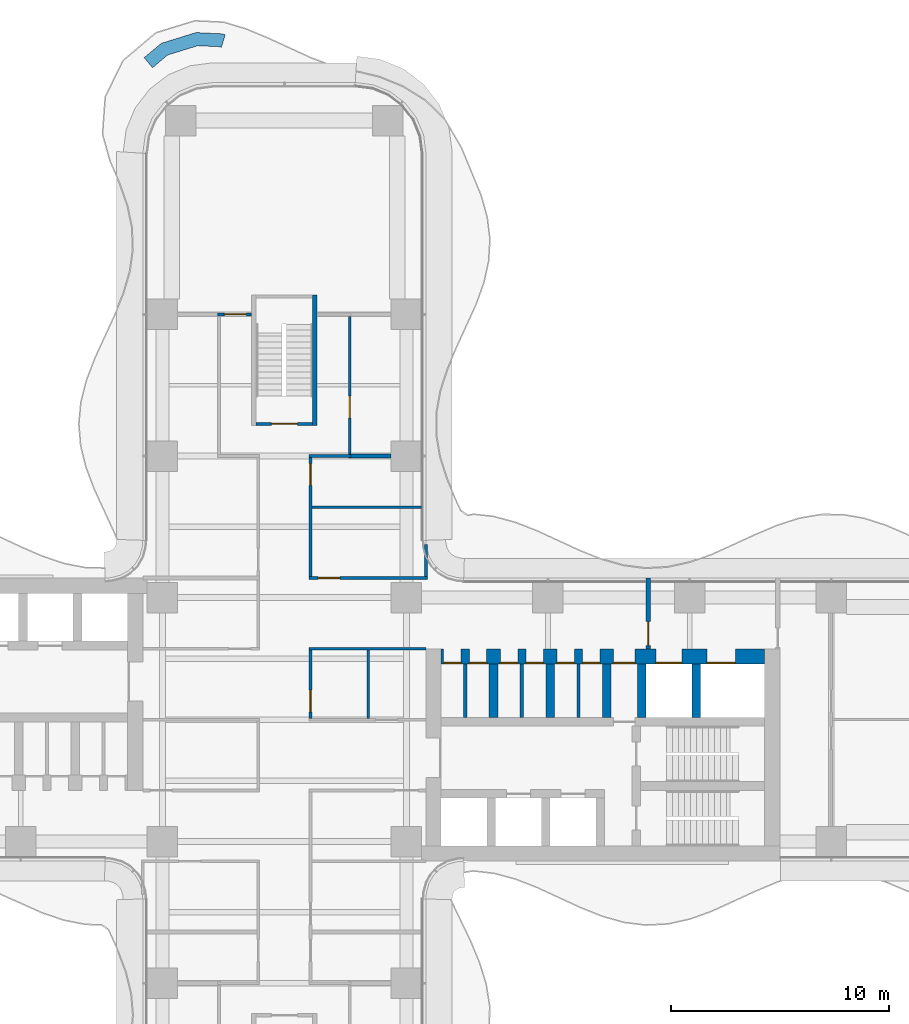
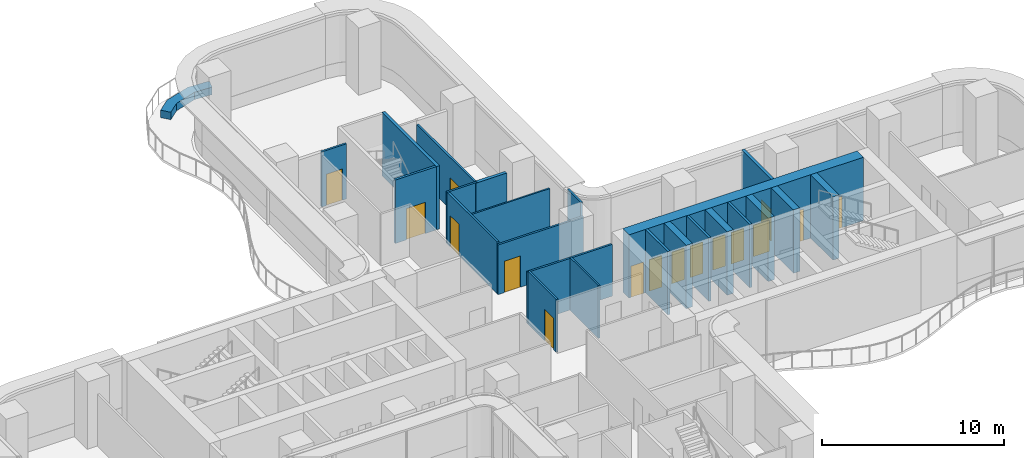
# One storey, part 19 of 22: 24 walls, 16 doors, 16 openings.
"""IFC4 building model written with IfcOpenShell, lengths in metres."""

from ifc_helpers import new_model, si_unit, direction, frame, frame_2d, origin, place, context, subcontext, project, spatial, polyline, rectangle, outline, extrude, source, transform, mapped, material, layer, layer_set, type_object, element, fill, save


model = new_model("IFC4")

# Units and contexts
model_context = context("Model", 3, precision=1e-05, world=origin(), true_north=direction((0.0, 1.0)))
body_context = subcontext(model_context, "Body", "Model", "MODEL_VIEW")
ifc_project = project(units=[si_unit("LENGTHUNIT", "METRE"), si_unit("AREAUNIT", "SQUARE_METRE"), si_unit("VOLUMEUNIT", "CUBIC_METRE"), si_unit("PLANEANGLEUNIT", "RADIAN"), si_unit("MASSUNIT", "GRAM", prefix="KILO")], contexts=[model_context])

# Site, building, storey
site_placement = place(None, origin())
site = spatial("IfcSite", under=ifc_project, at=site_placement, CompositionType="ELEMENT")
building_placement = place(site_placement, origin())
building = spatial("IfcBuilding", under=site, at=building_placement, Name="Trellis Farm Tower", CompositionType="ELEMENT")
storey_placement = place(building_placement, frame((0.0, 0.0, 52.0)))
storey = spatial("IfcBuildingStorey", under=building, at=storey_placement, Name="L10", CompositionType="ELEMENT", Elevation=52.0)

# Walls
ifc_material_1 = material(Name="Sandstone faced masonry planter", Category="masonry")
ifc_layer_1 = layer(ifc_material_1, 0.60009765625)
ifc_layer_set_1 = layer_set([ifc_layer_1], Name="PLANTER BED 600")
wall_type_1 = type_object("IfcWallType", Name="PLANTER BED 600", PredefinedType="USERDEFINED", material=ifc_layer_set_1)
wall_1_placement = place(storey_placement, origin())
element("IfcWall", 1, at=wall_1_placement, inside=storey, type_object=wall_type_1, Name="PLANTER bed", ObjectType="PLANTER", PredefinedType="USERDEFINED", context=body_context, shape_type="SweptSolid", body=[
    extrude(outline(polyline([(-4.055908203125, 31.541015625), (-2.864990234375, 31.48193359375), (-2.71728515625, 31.43701171875), (-2.89208984375, 30.863037109375), (-2.96875, 30.886474609375), (-3.9794921875, 30.936279296875), (-5.361083984375, 30.507568359375), (-6.054443359375, 29.9267578125), (-6.439697265625, 30.38671875), (-5.654052734375, 31.044921875), (-4.055908203125, 31.541015625)])), origin(), (0.0, 0.0, 1.0), 0.5),
])
ifc_material_2 = material(Name="Concrete C80/95", Category="concrete")
ifc_layer_2 = layer(ifc_material_2, 0.39990234375)
ifc_layer_set_2 = layer_set([ifc_layer_2], Name="CORE INNER WALL 400 CONCRETE C80/95")
wall_type_2 = type_object("IfcWallType", Name="CORE INNER WALL 400 CONCRETE C80/95", PredefinedType="SHEAR", material=ifc_layer_set_2)
shared_shape_1 = source(origin(), body_context, "Body", "SweptSolid", [
    extrude(rectangle(XDim=2.449951171875, YDim=0.39990234375, at=frame_2d((1.22509765625, 0.0))), origin(), (0.0, 0.0, 1.0), 4.25),
])
for number, where, z_axis, x_axis, name in (
    (2, (9.60009765625, 0.10009765625, 0.0), (0.0, 0.0, 1.0), (0.0, 1.0, 0.0), "Core wall"),
    (3, (12.199951171875, 0.10009765625, 0.0), (0.0, 0.0, 1.0), (0.0, 1.0, 0.0), "Core wall"),
    (4, (14.800048828125, 0.10009765625, 0.0), (0.0, 0.0, 1.0), (0.0, 1.0, 0.0), "Core wall"),
    (5, (16.39990234375, 0.10009765625, 0.0), (0.0, 0.0, 1.0), (0.0, 1.0, 0.0), "Core wall"),
    (6, (18.89990234375, 0.10009765625, 0.0), (0.0, 0.0, 1.0), (0.0, 1.0, 0.0), "Core wall"),
):
    element("IfcWall", number, at=place(storey_placement, frame(where, z_axis=z_axis, x_axis=x_axis)), inside=storey, type_object=wall_type_2, Name=name, PredefinedType="SHEAR", context=body_context, shape_type="MappedRepresentation", body=[
        mapped(shared_shape_1, transform((0.0, 0.0, 0.0))),
    ])

# Wall, opening, door
ifc_material_3 = material(Name="Masonry blockwork", Category="masonry")
ifc_layer_3 = layer(ifc_material_3, 0.199951171875)
ifc_layer_set_3 = layer_set([ifc_layer_3], Name="FIRE LOBBY PARTITION 200 BLOCKWORK")
wall_type_3 = type_object("IfcWallType", Name="FIRE LOBBY PARTITION 200 BLOCKWORK", PredefinedType="PARTITIONING", material=ifc_layer_set_3)
shared_shape_2 = source(origin(), body_context, "Body", "SweptSolid", [
    extrude(rectangle(XDim=3.25, YDim=0.199951171875, at=frame_2d((1.625, 0.0))), origin(), (0.0, 0.0, 1.0), 4.25),
])
wall_2_placement = place(storey_placement, frame((16.699951171875, 3.25, 0.0), z_axis=(0.0, 0.0, 1.0), x_axis=(0.0, 1.0, 0.0)))
wall_2 = element("IfcWall", 7, at=wall_2_placement, inside=storey, type_object=wall_type_3, Name="Fire-fighting lobby partition", PredefinedType="PARTITIONING", context=body_context, shape_type="MappedRepresentation", body=[
    mapped(shared_shape_2, transform((0.0, 0.0, 0.0))),
])
shared_shape_3 = source(origin(), body_context, "Body", "SweptSolid", [
    extrude(rectangle(XDim=1.10009765625, YDim=2.10009765625, at=frame_2d((0.550048828125, 1.050048828125))), frame((0.0, 0.110107421875, 0.0), z_axis=(0.0, -1.0, 0.0), x_axis=(1.0, 0.0, 0.0)), (0.0, 0.0, 1.0), 0.22021484375),
])
opening_1_placement = place(wall_2_placement, frame((0.14990234375, 0.0, 0.0)))
opening_1 = element("IfcOpeningElement", 8, at=opening_1_placement, cuts=wall_2, Name="Opening DC7", PredefinedType="OPENING", context=body_context, shape_type="MappedRepresentation", body=[
    mapped(shared_shape_3, transform((0.0, 0.0, 0.0))),
])
ifc_material_4 = material(Name="Steel", Category="steel")
door_type_1 = type_object("IfcDoorType", Name="CORE FIRE DOOR 1100 X 2100", OperationType="NOTDEFINED", PredefinedType="DOOR", material=ifc_material_4)
shared_shape_4 = source(origin(), body_context, "Body", "SweptSolid", [
    extrude(rectangle(XDim=1.10009765625, YDim=2.10009765625, at=frame_2d((0.550048828125, 1.050048828125))), frame((0.0, 0.02490234375, 0.0), z_axis=(0.0, -1.0, 0.0), x_axis=(1.0, 0.0, 0.0)), (0.0, 0.0, 1.0), 0.050048828125),
])
door_1_placement = place(opening_1_placement, origin())
door_1 = element("IfcDoor", 9, at=door_1_placement, inside=storey, type_object=door_type_1, Name="Core door", OperationType="SINGLE_SWING_RIGHT", OverallHeight=2.10009765625, OverallWidth=1.10009765625, PredefinedType="DOOR", context=body_context, shape_type="MappedRepresentation", body=[
    mapped(shared_shape_4, transform((0.0, 0.0, 0.0))),
])
fill(opening_1, door_1)

# Wall, openings, doors
ifc_layer_4 = layer(ifc_material_2, 0.699951171875)
ifc_layer_set_4 = layer_set([ifc_layer_4], Name="CORE OUTER WALL 700 CONCRETE C80/95")
wall_type_4 = type_object("IfcWallType", Name="CORE OUTER WALL 700 CONCRETE C80/95", PredefinedType="SHEAR", material=ifc_layer_set_4)
shared_shape_5 = source(origin(), body_context, "Body", "SweptSolid", [
    extrude(rectangle(XDim=14.85009765625, YDim=0.699951171875, at=frame_2d((7.425048828125, 0.0))), origin(), (0.0, 0.0, 1.0), 4.25),
])
wall_3_placement = place(storey_placement, frame((7.199951171875, 2.89990234375, 0.0), z_axis=(0.0, 0.0, 1.0), x_axis=(1.0, 0.0, 0.0)))
wall_3 = element("IfcWall", 10, at=wall_3_placement, inside=storey, type_object=wall_type_4, Name="Core wall", PredefinedType="SHEAR", context=body_context, shape_type="MappedRepresentation", body=[
    mapped(shared_shape_5, transform((0.0, 0.0, 0.0))),
])
shared_shape_6 = source(origin(), body_context, "Body", "SweptSolid", [
    extrude(rectangle(XDim=1.300048828125, YDim=2.10009765625, at=frame_2d((0.64990234375, 1.050048828125))), frame((0.0, 0.360107421875, 0.0), z_axis=(0.0, -1.0, 0.0), x_axis=(1.0, 0.0, 0.0)), (0.0, 0.0, 1.0), 0.72021484375),
])
opening_2_placement = place(wall_3_placement, frame((12.199951171875, 0.0, 0.0)))
opening_2 = element("IfcOpeningElement", 11, at=opening_2_placement, cuts=wall_3, Name="Opening LD7", PredefinedType="OPENING", context=body_context, shape_type="MappedRepresentation", body=[
    mapped(shared_shape_6, transform((0.0, 0.0, 0.0))),
])
shared_shape_7 = source(origin(), body_context, "Body", "SweptSolid", [
    extrude(rectangle(XDim=1.199951171875, YDim=2.10009765625, at=frame_2d((0.60009765625, 1.050048828125))), frame((0.0, 0.360107421875, 0.0), z_axis=(0.0, -1.0, 0.0), x_axis=(1.0, 0.0, 0.0)), (0.0, 0.0, 1.0), 0.72021484375),
])
opening_3_placement = place(wall_3_placement, frame((9.85009765625, 0.0, 0.0)))
opening_3 = element("IfcOpeningElement", 12, at=opening_3_placement, cuts=wall_3, Name="Opening LD8", PredefinedType="OPENING", context=body_context, shape_type="MappedRepresentation", body=[
    mapped(shared_shape_7, transform((0.0, 0.0, 0.0))),
])
shared_shape_8 = source(origin(), body_context, "Body", "SweptSolid", [
    extrude(rectangle(XDim=1.0, YDim=2.10009765625, at=frame_2d((0.5, 1.050048828125))), frame((0.0, 0.360107421875, 0.0), z_axis=(0.0, -1.0, 0.0), x_axis=(1.0, 0.0, 0.0)), (0.0, 0.0, 1.0), 0.72021484375),
])
opening_4_placement = place(wall_3_placement, frame((7.89990234375, 0.0, 0.0)))
opening_4 = element("IfcOpeningElement", 13, at=opening_4_placement, cuts=wall_3, Name="Opening DC6", PredefinedType="OPENING", context=body_context, shape_type="MappedRepresentation", body=[
    mapped(shared_shape_8, transform((0.0, 0.0, 0.0))),
])
shared_shape_9 = source(origin(), body_context, "Body", "SweptSolid", [
    extrude(rectangle(XDim=0.800048828125, YDim=2.10009765625, at=frame_2d((0.39990234375, 1.050048828125))), frame((0.0, 0.360107421875, 0.0), z_axis=(0.0, -1.0, 0.0), x_axis=(1.0, 0.0, 0.0)), (0.0, 0.0, 1.0), 0.72021484375),
])
opening_5_placement = place(wall_3_placement, frame((0.112548828125, 0.0, 0.0)))
opening_5 = element("IfcOpeningElement", 14, at=opening_5_placement, cuts=wall_3, Name="Opening DC9", PredefinedType="OPENING", context=body_context, shape_type="MappedRepresentation", body=[
    mapped(shared_shape_9, transform((0.0, 0.0, 0.0))),
])
opening_6_placement = place(wall_3_placement, frame((1.28759765625, 0.0, 0.0)))
opening_6 = element("IfcOpeningElement", 15, at=opening_6_placement, cuts=wall_3, Name="Opening DC16", PredefinedType="OPENING", context=body_context, shape_type="MappedRepresentation", body=[
    mapped(shared_shape_9, transform((0.0, 0.0, 0.0))),
])
opening_7_placement = place(wall_3_placement, frame((2.71240234375, 0.0, 0.0)))
opening_7 = element("IfcOpeningElement", 16, at=opening_7_placement, cuts=wall_3, Name="Opening DC21", PredefinedType="OPENING", context=body_context, shape_type="MappedRepresentation", body=[
    mapped(shared_shape_9, transform((0.0, 0.0, 0.0))),
])
opening_8_placement = place(wall_3_placement, frame((3.887451171875, 0.0, 0.0)))
opening_8 = element("IfcOpeningElement", 17, at=opening_8_placement, cuts=wall_3, Name="Opening DC28", PredefinedType="OPENING", context=body_context, shape_type="MappedRepresentation", body=[
    mapped(shared_shape_9, transform((0.0, 0.0, 0.0))),
])
opening_9_placement = place(wall_3_placement, frame((5.3125, 0.0, 0.0)))
opening_9 = element("IfcOpeningElement", 18, at=opening_9_placement, cuts=wall_3, Name="Opening DC33", PredefinedType="OPENING", context=body_context, shape_type="MappedRepresentation", body=[
    mapped(shared_shape_9, transform((0.0, 0.0, 0.0))),
])
opening_10_placement = place(wall_3_placement, frame((6.487548828125, 0.0, 0.0)))
opening_10 = element("IfcOpeningElement", 19, at=opening_10_placement, cuts=wall_3, Name="Opening DC40", PredefinedType="OPENING", context=body_context, shape_type="MappedRepresentation", body=[
    mapped(shared_shape_9, transform((0.0, 0.0, 0.0))),
])
door_type_2 = type_object("IfcDoorType", Name="CORE FIRE DOOR 1000 X 2100", OperationType="NOTDEFINED", PredefinedType="DOOR", material=ifc_material_4)
shared_shape_10 = source(origin(), body_context, "Body", "SweptSolid", [
    extrude(rectangle(XDim=1.0, YDim=2.10009765625, at=frame_2d((0.5, 1.050048828125))), frame((0.0, -0.27490234375, 0.0), z_axis=(0.0, -1.0, 0.0), x_axis=(1.0, 0.0, 0.0)), (0.0, 0.0, 1.0), 0.050048828125),
])
door_2_placement = place(opening_4_placement, origin())
door_2 = element("IfcDoor", 20, at=door_2_placement, inside=storey, type_object=door_type_2, Name="Core door", OperationType="SINGLE_SWING_LEFT", OverallHeight=2.10009765625, OverallWidth=1.0, PredefinedType="DOOR", context=body_context, shape_type="MappedRepresentation", body=[
    mapped(shared_shape_10, transform((0.0, 0.0, 0.0))),
])
fill(opening_4, door_2)
ifc_material_5 = material(Name="Stainless steel", Category="steel")
door_type_3 = type_object("IfcDoorType", Name="LIFT LANDING DOOR 1300 X 2100", OperationType="DOUBLE_DOOR_SLIDING", PredefinedType="DOOR", material=ifc_material_5)
shared_shape_11 = source(origin(), body_context, "Body", "SweptSolid", [
    extrude(rectangle(XDim=1.300048828125, YDim=2.10009765625, at=frame_2d((0.64990234375, 1.050048828125))), frame((0.0, -0.27490234375, 0.0), z_axis=(0.0, -1.0, 0.0), x_axis=(1.0, 0.0, 0.0)), (0.0, 0.0, 1.0), 0.050048828125),
])
door_3_placement = place(opening_2_placement, origin())
door_3 = element("IfcDoor", 21, at=door_3_placement, inside=storey, type_object=door_type_3, Name="Lift landing door", OperationType="DOUBLE_DOOR_SLIDING", OverallHeight=2.10009765625, OverallWidth=1.300048828125, PredefinedType="DOOR", context=body_context, shape_type="MappedRepresentation", body=[
    mapped(shared_shape_11, transform((0.0, 0.0, 0.0))),
])
fill(opening_2, door_3)
door_type_4 = type_object("IfcDoorType", Name="LIFT LANDING DOOR 1200 X 2100", OperationType="DOUBLE_DOOR_SLIDING", PredefinedType="DOOR", material=ifc_material_5)
shared_shape_12 = source(origin(), body_context, "Body", "SweptSolid", [
    extrude(rectangle(XDim=1.199951171875, YDim=2.10009765625, at=frame_2d((0.60009765625, 1.050048828125))), frame((0.0, -0.27490234375, 0.0), z_axis=(0.0, -1.0, 0.0), x_axis=(1.0, 0.0, 0.0)), (0.0, 0.0, 1.0), 0.050048828125),
])
door_4_placement = place(opening_3_placement, origin())
door_4 = element("IfcDoor", 22, at=door_4_placement, inside=storey, type_object=door_type_4, Name="Lift landing door", OperationType="DOUBLE_DOOR_SLIDING", OverallHeight=2.10009765625, OverallWidth=1.199951171875, PredefinedType="DOOR", context=body_context, shape_type="MappedRepresentation", body=[
    mapped(shared_shape_12, transform((0.0, 0.0, 0.0))),
])
fill(opening_3, door_4)
door_type_5 = type_object("IfcDoorType", Name="CORE FIRE DOOR 800 X 2100", OperationType="NOTDEFINED", PredefinedType="DOOR", material=ifc_material_4)
shared_shape_13 = source(origin(), body_context, "Body", "SweptSolid", [
    extrude(rectangle(XDim=0.800048828125, YDim=2.10009765625, at=frame_2d((0.39990234375, 1.050048828125))), frame((0.0, -0.27490234375, 0.0), z_axis=(0.0, -1.0, 0.0), x_axis=(1.0, 0.0, 0.0)), (0.0, 0.0, 1.0), 0.050048828125),
])
door_5_placement = place(opening_5_placement, origin())
door_5 = element("IfcDoor", 23, at=door_5_placement, inside=storey, type_object=door_type_5, Name="Core door", OperationType="SINGLE_SWING_LEFT", OverallHeight=2.10009765625, OverallWidth=0.800048828125, PredefinedType="DOOR", context=body_context, shape_type="MappedRepresentation", body=[
    mapped(shared_shape_13, transform((0.0, 0.0, 0.0))),
])
fill(opening_5, door_5)
door_6_placement = place(opening_6_placement, origin())
door_6 = element("IfcDoor", 24, at=door_6_placement, inside=storey, type_object=door_type_5, Name="Core door", OperationType="SINGLE_SWING_RIGHT", OverallHeight=2.10009765625, OverallWidth=0.800048828125, PredefinedType="DOOR", context=body_context, shape_type="MappedRepresentation", body=[
    mapped(shared_shape_13, transform((0.0, 0.0, 0.0))),
])
fill(opening_6, door_6)
door_7_placement = place(opening_7_placement, origin())
door_7 = element("IfcDoor", 25, at=door_7_placement, inside=storey, type_object=door_type_5, Name="Core door", OperationType="SINGLE_SWING_LEFT", OverallHeight=2.10009765625, OverallWidth=0.800048828125, PredefinedType="DOOR", context=body_context, shape_type="MappedRepresentation", body=[
    mapped(shared_shape_13, transform((0.0, 0.0, 0.0))),
])
fill(opening_7, door_7)
door_8_placement = place(opening_8_placement, origin())
door_8 = element("IfcDoor", 26, at=door_8_placement, inside=storey, type_object=door_type_5, Name="Core door", OperationType="SINGLE_SWING_RIGHT", OverallHeight=2.10009765625, OverallWidth=0.800048828125, PredefinedType="DOOR", context=body_context, shape_type="MappedRepresentation", body=[
    mapped(shared_shape_13, transform((0.0, 0.0, 0.0))),
])
fill(opening_8, door_8)
door_9_placement = place(opening_9_placement, origin())
door_9 = element("IfcDoor", 27, at=door_9_placement, inside=storey, type_object=door_type_5, Name="Core door", OperationType="SINGLE_SWING_LEFT", OverallHeight=2.10009765625, OverallWidth=0.800048828125, PredefinedType="DOOR", context=body_context, shape_type="MappedRepresentation", body=[
    mapped(shared_shape_13, transform((0.0, 0.0, 0.0))),
])
fill(opening_9, door_9)
door_10_placement = place(opening_10_placement, origin())
door_10 = element("IfcDoor", 28, at=door_10_placement, inside=storey, type_object=door_type_5, Name="Core door", OperationType="SINGLE_SWING_RIGHT", OverallHeight=2.10009765625, OverallWidth=0.800048828125, PredefinedType="DOOR", context=body_context, shape_type="MappedRepresentation", body=[
    mapped(shared_shape_13, transform((0.0, 0.0, 0.0))),
])
fill(opening_10, door_10)

# Walls
ifc_layer_5 = layer(ifc_material_3, 0.14990234375)
ifc_layer_set_5 = layer_set([ifc_layer_5], Name="CORE PARTITION 150 BLOCKWORK")
wall_type_5 = type_object("IfcWallType", Name="CORE PARTITION 150 BLOCKWORK", PredefinedType="PARTITIONING", material=ifc_layer_set_5)
shared_shape_14 = source(origin(), body_context, "Body", "SweptSolid", [
    extrude(rectangle(XDim=2.449951171875, YDim=0.14990234375, at=frame_2d((1.22509765625, 0.0))), origin(), (0.0, 0.0, 1.0), 4.25),
])
for number, where, z_axis, x_axis, name in (
    (29, (8.300048828125, 0.10009765625, 0.0), (0.0, 0.0, 1.0), (0.0, 1.0, 0.0), "Core room partition"),
    (30, (10.89990234375, 0.10009765625, 0.0), (0.0, 0.0, 1.0), (0.0, 1.0, 0.0), "Core room partition"),
    (31, (13.5, 0.10009765625, 0.0), (0.0, 0.0, 1.0), (0.0, 1.0, 0.0), "Core room partition"),
):
    element("IfcWall", number, at=place(storey_placement, frame(where, z_axis=z_axis, x_axis=x_axis)), inside=storey, type_object=wall_type_5, Name=name, PredefinedType="PARTITIONING", context=body_context, shape_type="MappedRepresentation", body=[
        mapped(shared_shape_14, transform((0.0, 0.0, 0.0))),
    ])
ifc_layer_6 = layer(ifc_material_2, 0.199951171875)
ifc_layer_set_6 = layer_set([ifc_layer_6], Name="CORE STAIR ENCLOSURE WALL 200 CONCRETE C80/95")
wall_type_6 = type_object("IfcWallType", Name="CORE STAIR ENCLOSURE WALL 200 CONCRETE C80/95", PredefinedType="SHEAR", material=ifc_layer_set_6)
shared_shape_15 = source(origin(), body_context, "Body", "SweptSolid", [
    extrude(rectangle(XDim=6.0, YDim=0.199951171875, at=frame_2d((3.0, 0.0))), origin(), (0.0, 0.0, 1.0), 4.25),
])
wall_4_placement = place(storey_placement, frame((1.39990234375, 13.5, 0.0), z_axis=(0.0, 0.0, 1.0), x_axis=(0.0, 1.0, 0.0)))
element("IfcWall", 32, at=wall_4_placement, inside=storey, type_object=wall_type_6, Name="Stair enclosure wall", PredefinedType="SHEAR", context=body_context, shape_type="MappedRepresentation", body=[
    mapped(shared_shape_15, transform((0.0, 0.0, 0.0))),
])

# Wall, opening, door
ifc_layer_7 = layer(ifc_material_2, 0.14990234375)
ifc_layer_set_7 = layer_set([ifc_layer_7], Name="CORE STAIR ENCLOSURE WALL 150 CONCRETE C80/95")
wall_type_7 = type_object("IfcWallType", Name="CORE STAIR ENCLOSURE WALL 150 CONCRETE C80/95", PredefinedType="SHEAR", material=ifc_layer_set_7)
shared_shape_16 = source(origin(), body_context, "Body", "SweptSolid", [
    extrude(rectangle(XDim=2.60009765625, YDim=0.14990234375, at=frame_2d((1.300048828125, 0.0))), origin(), (0.0, 0.0, 1.0), 4.25),
])
wall_5_placement = place(storey_placement, frame((-1.300048828125, 13.574951171875, 0.0), z_axis=(0.0, 0.0, 1.0), x_axis=(1.0, 0.0, 0.0)))
wall_5 = element("IfcWall", 33, at=wall_5_placement, inside=storey, type_object=wall_type_7, Name="Stair enclosure wall", PredefinedType="SHEAR", context=body_context, shape_type="MappedRepresentation", body=[
    mapped(shared_shape_16, transform((0.0, 0.0, 0.0))),
])
shared_shape_17 = source(origin(), body_context, "Body", "SweptSolid", [
    extrude(rectangle(XDim=1.199951171875, YDim=2.10009765625, at=frame_2d((0.60009765625, 1.050048828125))), frame((0.0, 0.0849609375, 0.0), z_axis=(0.0, -1.0, 0.0), x_axis=(1.0, 0.0, 0.0)), (0.0, 0.0, 1.0), 0.169921875),
])
opening_11_placement = place(wall_5_placement, frame((0.699951171875, 0.0, 0.0)))
opening_11 = element("IfcOpeningElement", 34, at=opening_11_placement, cuts=wall_5, Name="Opening DC173", PredefinedType="OPENING", context=body_context, shape_type="MappedRepresentation", body=[
    mapped(shared_shape_17, transform((0.0, 0.0, 0.0))),
])
door_type_6 = type_object("IfcDoorType", Name="CORE FIRE DOOR 1200 X 2100", OperationType="NOTDEFINED", PredefinedType="DOOR", material=ifc_material_4)
shared_shape_18 = source(origin(), body_context, "Body", "SweptSolid", [
    extrude(rectangle(XDim=1.199951171875, YDim=2.10009765625, at=frame_2d((0.60009765625, 1.050048828125))), frame((0.0, 0.02490234375, 0.0), z_axis=(0.0, -1.0, 0.0), x_axis=(1.0, 0.0, 0.0)), (0.0, 0.0, 1.0), 0.050048828125),
])
door_11_placement = place(opening_11_placement, origin())
door_11 = element("IfcDoor", 35, at=door_11_placement, inside=storey, type_object=door_type_6, Name="Core door", OperationType="SINGLE_SWING_LEFT", OverallHeight=2.10009765625, OverallWidth=1.199951171875, PredefinedType="DOOR", context=body_context, shape_type="MappedRepresentation", body=[
    mapped(shared_shape_18, transform((0.0, 0.0, 0.0))),
])
fill(opening_11, door_11)

ifc_material_6 = material(Name="Plasterboard on steel studs, mineral wool", Category="steel")
ifc_layer_8 = layer(ifc_material_6, 0.125)
ifc_layer_set_8 = layer_set([ifc_layer_8], Name="PARTITION 125 STUD EI 60")
wall_type_8 = type_object("IfcWallType", Name="PARTITION 125 STUD EI 60", PredefinedType="PARTITIONING", material=ifc_layer_set_8)
shared_shape_19 = source(origin(), body_context, "Body", "SweptSolid", [
    extrude(rectangle(XDim=3.125, YDim=0.125, at=frame_2d((1.5625, 0.0))), origin(), (0.0, 0.0, 1.0), 3.54638671875),
])
wall_6_placement = place(storey_placement, frame((1.199951171875, 3.1875, 0.0), z_axis=(0.0, 0.0, 1.0), x_axis=(0.0, -1.0, 0.0)))
wall_6 = element("IfcWall", 36, at=wall_6_placement, inside=storey, type_object=wall_type_8, Name="Partition PW1", PredefinedType="PARTITIONING", context=body_context, shape_type="MappedRepresentation", body=[
    mapped(shared_shape_19, transform((0.0, 0.0, 0.0))),
])
shared_shape_20 = source(origin(), body_context, "Body", "SweptSolid", [
    extrude(rectangle(XDim=1.0, YDim=2.10009765625, at=frame_2d((0.5, 1.050048828125))), frame((0.0, 0.072509765625, 0.0), z_axis=(0.0, -1.0, 0.0), x_axis=(1.0, 0.0, 0.0)), (0.0, 0.0, 1.0), 0.14501953125),
])
opening_12_placement = place(wall_6_placement, frame((1.83740234375, 0.0, 0.0)))
opening_12 = element("IfcOpeningElement", 37, at=opening_12_placement, cuts=wall_6, Name="Opening D110", PredefinedType="OPENING", context=body_context, shape_type="MappedRepresentation", body=[
    mapped(shared_shape_20, transform((0.0, 0.0, 0.0))),
])
ifc_material_7 = material(Name="Fire-rated timber door leaf in a hollow metal frame", Category="wood")
door_type_7 = type_object("IfcDoorType", Name="DOOR 1000x2100 FD30S", OperationType="NOTDEFINED", PredefinedType="DOOR", material=ifc_material_7)
shared_shape_21 = source(origin(), body_context, "Body", "SweptSolid", [
    extrude(rectangle(XDim=1.0, YDim=2.10009765625, at=frame_2d((0.5, 1.050048828125))), frame((0.0, 0.02490234375, 0.0), z_axis=(0.0, -1.0, 0.0), x_axis=(1.0, 0.0, 0.0)), (0.0, 0.0, 1.0), 0.050048828125),
])
door_12_placement = place(opening_12_placement, origin())
door_12 = element("IfcDoor", 38, at=door_12_placement, inside=storey, type_object=door_type_7, Name="Door D110", OperationType="SINGLE_SWING_RIGHT", OverallHeight=2.10009765625, OverallWidth=1.0, PredefinedType="DOOR", context=body_context, shape_type="MappedRepresentation", body=[
    mapped(shared_shape_21, transform((0.0, 0.0, 0.0))),
])
fill(opening_12, door_12)

shared_shape_22 = source(origin(), body_context, "Body", "SweptSolid", [
    extrude(rectangle(XDim=5.47509765625, YDim=0.125, at=frame_2d((2.737548828125, 0.0))), origin(), (0.0, 0.0, 1.0), 3.4677734375),
])
wall_7_placement = place(storey_placement, frame((1.199951171875, 12.03759765625, 0.0), z_axis=(0.0, 0.0, 1.0), x_axis=(0.0, -1.0, 0.0)))
wall_7 = element("IfcWall", 39, at=wall_7_placement, inside=storey, type_object=wall_type_8, Name="Partition PW1", PredefinedType="PARTITIONING", context=body_context, shape_type="MappedRepresentation", body=[
    mapped(shared_shape_22, transform((0.0, 0.0, 0.0))),
])
opening_13_placement = place(wall_7_placement, frame((0.28759765625, 0.0, 0.0)))
opening_13 = element("IfcOpeningElement", 40, at=opening_13_placement, cuts=wall_7, Name="Opening D114", PredefinedType="OPENING", context=body_context, shape_type="MappedRepresentation", body=[
    mapped(shared_shape_20, transform((0.0, 0.0, 0.0))),
])
door_13_placement = place(opening_13_placement, origin())
door_13 = element("IfcDoor", 41, at=door_13_placement, inside=storey, type_object=door_type_7, Name="Door D114", OperationType="SINGLE_SWING_LEFT", OverallHeight=2.10009765625, OverallWidth=1.0, PredefinedType="DOOR", context=body_context, shape_type="MappedRepresentation", body=[
    mapped(shared_shape_21, transform((0.0, 0.0, 0.0))),
])
fill(opening_13, door_13)

# Wall
shared_shape_23 = source(origin(), body_context, "Body", "SweptSolid", [
    extrude(rectangle(XDim=1.468994140625, YDim=0.125, at=frame_2d((0.734375, 0.0))), origin(), (0.0, 0.0, 1.0), 4.25),
])
wall_8_placement = place(storey_placement, frame((6.5, 6.5625, 0.0), z_axis=(0.0, 0.0, 1.0), x_axis=(0.0, 1.0, 0.0)))
element("IfcWall", 42, at=wall_8_placement, inside=storey, type_object=wall_type_8, Name="Partition PW1", PredefinedType="PARTITIONING", context=body_context, shape_type="MappedRepresentation", body=[
    mapped(shared_shape_23, transform((0.0, 0.0, 0.0))),
])

# Wall, opening, door
shared_shape_24 = source(origin(), body_context, "Body", "SweptSolid", [
    extrude(rectangle(XDim=1.5625, YDim=0.125, at=frame_2d((0.78125, 0.0))), origin(), (0.0, 0.0, 1.0), 3.69677734375),
])
wall_9_placement = place(storey_placement, frame((-3.0625, 18.60009765625, 0.0), z_axis=(0.0, 0.0, 1.0), x_axis=(1.0, 0.0, 0.0)))
wall_9 = element("IfcWall", 43, at=wall_9_placement, inside=storey, type_object=wall_type_8, Name="Partition PW1", PredefinedType="PARTITIONING", context=body_context, shape_type="MappedRepresentation", body=[
    mapped(shared_shape_24, transform((0.0, 0.0, 0.0))),
])
opening_14_placement = place(wall_9_placement, frame((0.3125, 0.0, 0.0)))
opening_14 = element("IfcOpeningElement", 44, at=opening_14_placement, cuts=wall_9, Name="Opening D116", PredefinedType="OPENING", context=body_context, shape_type="MappedRepresentation", body=[
    mapped(shared_shape_20, transform((0.0, 0.0, 0.0))),
])
door_14_placement = place(opening_14_placement, origin())
door_14 = element("IfcDoor", 45, at=door_14_placement, inside=storey, type_object=door_type_7, Name="Door D116", OperationType="SINGLE_SWING_RIGHT", OverallHeight=2.10009765625, OverallWidth=1.0, PredefinedType="DOOR", context=body_context, shape_type="MappedRepresentation", body=[
    mapped(shared_shape_21, transform((0.0, 0.0, 0.0))),
])
fill(opening_14, door_14)

# Walls
shared_shape_25 = source(origin(), body_context, "Body", "SweptSolid", [
    extrude(rectangle(XDim=1.925048828125, YDim=0.125, at=frame_2d((0.96240234375, 0.0))), origin(), (0.0, 0.0, 1.0), 3.4677734375),
])
wall_10_placement = place(storey_placement, frame((3.0625, 12.10009765625, 0.0), z_axis=(0.0, 0.0, 1.0), x_axis=(-1.0, 0.0, 0.0)))
element("IfcWall", 46, at=wall_10_placement, inside=storey, type_object=wall_type_8, Name="Partition PW1", PredefinedType="PARTITIONING", context=body_context, shape_type="MappedRepresentation", body=[
    mapped(shared_shape_25, transform((0.0, 0.0, 0.0))),
])
shared_shape_26 = source(origin(), body_context, "Body", "SweptSolid", [
    extrude(rectangle(XDim=5.362548828125, YDim=0.125, at=frame_2d((2.68115234375, 0.0))), origin(), (0.0, 0.0, 1.0), 3.4677734375),
])
wall_11_placement = place(storey_placement, frame((1.137451171875, 3.25, 0.0), z_axis=(0.0, 0.0, 1.0), x_axis=(1.0, 0.0, 0.0)))
element("IfcWall", 47, at=wall_11_placement, inside=storey, type_object=wall_type_8, Name="Partition PW1", PredefinedType="PARTITIONING", context=body_context, shape_type="MappedRepresentation", body=[
    mapped(shared_shape_26, transform((0.0, 0.0, 0.0))),
])

# Wall, opening, door
shared_shape_27 = source(origin(), body_context, "Body", "SweptSolid", [
    extrude(rectangle(XDim=5.425048828125, YDim=0.125, at=frame_2d((2.71240234375, 0.0))), origin(), (0.0, 0.0, 1.0), 3.330078125),
])
wall_12_placement = place(storey_placement, frame((1.137451171875, 6.5, 0.0), z_axis=(0.0, 0.0, 1.0), x_axis=(1.0, 0.0, 0.0)))
wall_12 = element("IfcWall", 48, at=wall_12_placement, inside=storey, type_object=wall_type_8, Name="Partition PW1", PredefinedType="PARTITIONING", context=body_context, shape_type="MappedRepresentation", body=[
    mapped(shared_shape_27, transform((0.0, 0.0, 0.0))),
])
opening_15_placement = place(wall_12_placement, frame((0.41259765625, 0.0, 0.0)))
opening_15 = element("IfcOpeningElement", 49, at=opening_15_placement, cuts=wall_12, Name="Opening D113", PredefinedType="OPENING", context=body_context, shape_type="MappedRepresentation", body=[
    mapped(shared_shape_20, transform((0.0, 0.0, 0.0))),
])
door_15_placement = place(opening_15_placement, origin())
door_15 = element("IfcDoor", 50, at=door_15_placement, inside=storey, type_object=door_type_7, Name="Door D113", OperationType="SINGLE_SWING_LEFT", OverallHeight=2.10009765625, OverallWidth=1.0, PredefinedType="DOOR", context=body_context, shape_type="MappedRepresentation", body=[
    mapped(shared_shape_21, transform((0.0, 0.0, 0.0))),
])
fill(opening_15, door_15)

# Walls
ifc_material_8 = material(Name="Lightweight blockwork, plastered", Category="masonry")
ifc_layer_9 = layer(ifc_material_8, 0.199951171875)
ifc_layer_set_9 = layer_set([ifc_layer_9], Name="BLOCK WALL 200 EI 120")
wall_type_9 = type_object("IfcWallType", Name="BLOCK WALL 200 EI 120", PredefinedType="PARTITIONING", material=ifc_layer_set_9)
shared_shape_28 = source(origin(), body_context, "Body", "SweptSolid", [
    extrude(rectangle(XDim=1.96240234375, YDim=0.199951171875, at=frame_2d((0.981201171875, 0.0))), origin(), (0.0, 0.0, 1.0), 3.4677734375),
])
wall_13_placement = place(storey_placement, frame((2.9375, 12.10009765625, 0.0), z_axis=(0.0, 0.0, 1.0), x_axis=(1.0, 0.0, 0.0)))
element("IfcWall", 51, at=wall_13_placement, inside=storey, type_object=wall_type_9, Name="Partition PW3", PredefinedType="PARTITIONING", context=body_context, shape_type="MappedRepresentation", body=[
    mapped(shared_shape_28, transform((0.0, 0.0, 0.0))),
])
ifc_material_9 = material(Name="Plasterboard on steel studs", Category="steel")
ifc_layer_10 = layer(ifc_material_9, 0.10009765625)
ifc_layer_set_10 = layer_set([ifc_layer_10], Name="PARTITION 100 STUD EI 30")
wall_type_10 = type_object("IfcWallType", Name="PARTITION 100 STUD EI 30", PredefinedType="PARTITIONING", material=ifc_layer_set_10)
shared_shape_29 = source(origin(), body_context, "Body", "SweptSolid", [
    extrude(rectangle(XDim=3.125, YDim=0.10009765625, at=frame_2d((1.5625, 0.0))), origin(), (0.0, 0.0, 1.0), 3.54638671875),
])
wall_14_placement = place(storey_placement, frame((3.85009765625, 0.0625, 0.0), z_axis=(0.0, 0.0, 1.0), x_axis=(0.0, 1.0, 0.0)))
element("IfcWall", 52, at=wall_14_placement, inside=storey, type_object=wall_type_10, Name="Partition PW2", PredefinedType="PARTITIONING", context=body_context, shape_type="MappedRepresentation", body=[
    mapped(shared_shape_29, transform((0.0, 0.0, 0.0))),
])

# Wall, opening, door
shared_shape_30 = source(origin(), body_context, "Body", "SweptSolid", [
    extrude(rectangle(XDim=6.300048828125, YDim=0.125, at=frame_2d((3.14990234375, 0.0))), origin(), (0.0, 0.0, 1.0), 3.4677734375),
])
wall_15_placement = place(storey_placement, frame((3.0, 18.5, 0.0), z_axis=(0.0, 0.0, 1.0), x_axis=(0.0, -1.0, 0.0)))
wall_15 = element("IfcWall", 53, at=wall_15_placement, inside=storey, type_object=wall_type_8, Name="Partition PW1", PredefinedType="PARTITIONING", context=body_context, shape_type="MappedRepresentation", body=[
    mapped(shared_shape_30, transform((0.0, 0.0, 0.0))),
])
opening_16_placement = place(wall_15_placement, frame((3.64990234375, 0.0, 0.0)))
opening_16 = element("IfcOpeningElement", 54, at=opening_16_placement, cuts=wall_15, Name="Opening D115", PredefinedType="OPENING", context=body_context, shape_type="MappedRepresentation", body=[
    mapped(shared_shape_20, transform((0.0, 0.0, 0.0))),
])
door_16_placement = place(opening_16_placement, origin())
door_16 = element("IfcDoor", 55, at=door_16_placement, inside=storey, type_object=door_type_7, Name="Door D115", OperationType="SINGLE_SWING_RIGHT", OverallHeight=2.10009765625, OverallWidth=1.0, PredefinedType="DOOR", context=body_context, shape_type="MappedRepresentation", body=[
    mapped(shared_shape_21, transform((0.0, 0.0, 0.0))),
])
fill(opening_16, door_16)

# Wall
shared_shape_31 = source(origin(), body_context, "Body", "SweptSolid", [
    extrude(rectangle(XDim=5.03759765625, YDim=0.10009765625, at=frame_2d((2.518798828125, 0.0))), origin(), (0.0, 0.0, 1.0), 3.330078125),
])
wall_16_placement = place(storey_placement, frame((1.262451171875, 9.75, 0.0), z_axis=(0.0, 0.0, 1.0), x_axis=(1.0, 0.0, 0.0)))
element("IfcWall", 56, at=wall_16_placement, inside=storey, type_object=wall_type_10, Name="Partition PW2", PredefinedType="PARTITIONING", context=body_context, shape_type="MappedRepresentation", body=[
    mapped(shared_shape_31, transform((0.0, 0.0, 0.0))),
])

save(model, "model.ifc")
